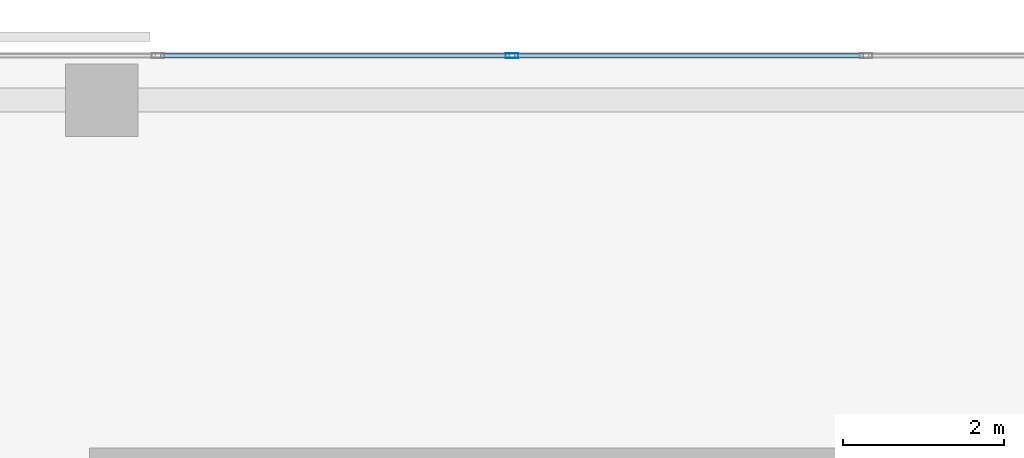
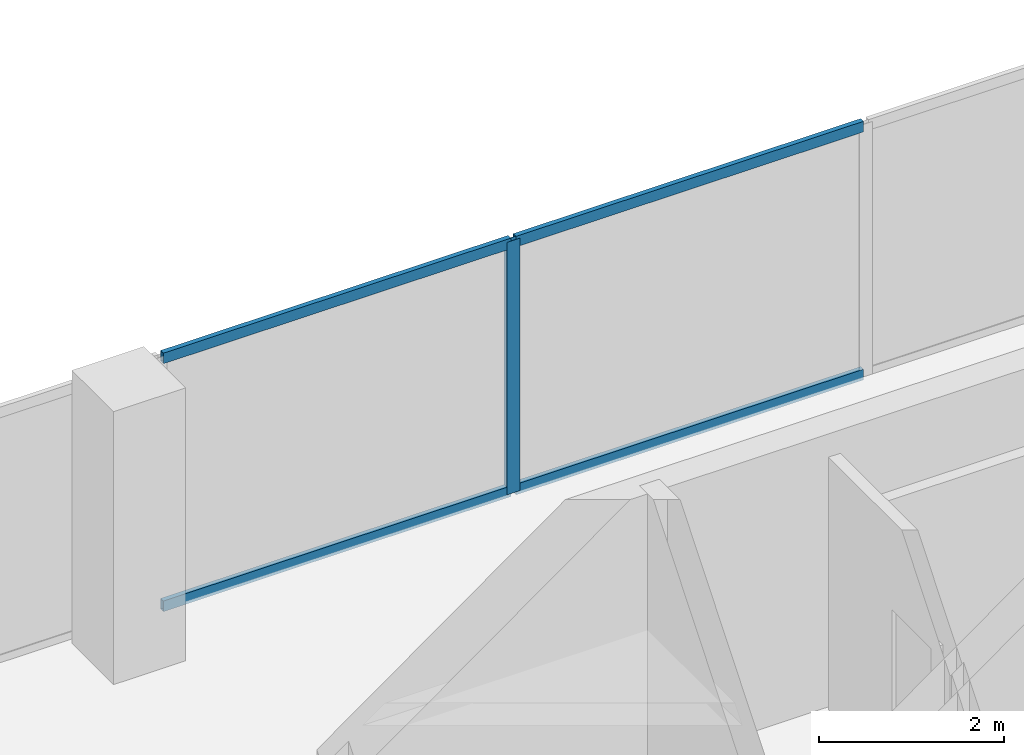
# One storey, part 20 of 34: 5 members, 1 element without a shape of its own.
"""IFC4 building model written with IfcOpenShell, lengths in metres."""

from ifc_helpers import new_model, si_unit, direction, frame, origin, origin_2d, place, context, subcontext, project, spatial, hollow_rectangle, extrude, material, layer, layer_set, material_profile, profile_set, type_object, element, aggregate, save


model = new_model("IFC4")

# Units and contexts
model_context = context("Model", 3, precision=1e-05, world=origin(), true_north=direction((0.0, 1.0)))
body_context = subcontext(model_context, "Body", "Model", "MODEL_VIEW")
ifc_project = project(units=[si_unit("LENGTHUNIT", "METRE"), si_unit("AREAUNIT", "SQUARE_METRE"), si_unit("VOLUMEUNIT", "CUBIC_METRE"), si_unit("PLANEANGLEUNIT", "RADIAN"), si_unit("MASSUNIT", "GRAM", prefix="KILO")], contexts=[model_context])

# Site, building, storey
site_placement = place(None, origin())
site = spatial("IfcSite", under=ifc_project, at=site_placement, CompositionType="ELEMENT")
building_placement = place(site_placement, origin())
building = spatial("IfcBuilding", under=site, at=building_placement, Name="Catumbela Crestline Tower", CompositionType="ELEMENT")
storey_placement = place(building_placement, frame((0.0, 0.0, 93.6)))
storey = spatial("IfcBuildingStorey", under=building, at=storey_placement, Name="L23", CompositionType="ELEMENT", Elevation=93.6)

# Curtain wall, members
ifc_material = material(Name="Aluminium alloy AW-6060-T66", Category="aluminium")
ifc_layer = layer(ifc_material, 0.18, Name="Aluminium alloy AW-6060-T66")
ifc_layer_set = layer_set([ifc_layer], Name="Aluminium alloy AW-6060-T66")
curtain_wall_type = type_object("IfcCurtainWallType", Name="CWU-Z2", PredefinedType="USERDEFINED", material=ifc_layer_set)
curtain_wall_placement = place(storey_placement, origin())
curtain_wall = element("IfcCurtainWall", 1, at=curtain_wall_placement, inside=storey, type_object=curtain_wall_type, Name="L23 Unitised Curtain Wall CW-L23-E7S1", ObjectType="UNITISED", PredefinedType="USERDEFINED")
ifc_material_profile_1 = material_profile(ifc_material, hollow_rectangle(XDim=0.06, YDim=0.16, WallThickness=0.004, at=origin_2d()), Name="ALU 160x60x4")
ifc_profile_set_1 = profile_set([ifc_material_profile_1], Name="Aluminium alloy AW-6060-T66")
member_type_1 = type_object("IfcMemberType", Name="MUL-160X60", PredefinedType="MULLION", material=ifc_profile_set_1)
member_1_placement = place(storey_placement, frame((21.1, 47.95, 0.0), z_axis=(0.0, 0.0, 1.0), x_axis=(0.0, -1.0, 0.0)))
member_1 = element("IfcMember", 2, at=member_1_placement, type_object=member_type_1, Name="CWU-Z2 mullion 7", PredefinedType="MULLION", context=body_context, shape_type="SweptSolid", body=[
    extrude(hollow_rectangle(XDim=0.06, YDim=0.16, WallThickness=0.004, at=origin_2d()), origin(), (0.0, 0.0, 1.0), 3.33),
])
ifc_material_profile_2 = material_profile(ifc_material, hollow_rectangle(XDim=0.06, YDim=0.14, WallThickness=0.004, at=origin_2d()), Name="ALU 140x60x4")
ifc_profile_set_2 = profile_set([ifc_material_profile_2], Name="Aluminium alloy AW-6060-T66")
member_type_2 = type_object("IfcMemberType", Name="TRN-140X60", PredefinedType="USERDEFINED", material=ifc_profile_set_2)
member_2_placement = place(storey_placement, frame((25.4675, 47.95, 0.03), z_axis=(-1.0, 0.0, 0.0), x_axis=(0.0, -1.0, 0.0)))
member_2 = element("IfcMember", 3, at=member_2_placement, type_object=member_type_2, Name="CWU-Z2 transom 6.1", ObjectType="TRANSOM", PredefinedType="USERDEFINED", context=body_context, shape_type="SweptSolid", body=[
    extrude(hollow_rectangle(XDim=0.06, YDim=0.14, WallThickness=0.004, at=origin_2d()), origin(), (0.0, 0.0, 1.0), 4.335),
])
member_3_placement = place(storey_placement, frame((25.4675, 47.95, 3.3), z_axis=(-1.0, 0.0, 0.0), x_axis=(0.0, -1.0, 0.0)))
member_3 = element("IfcMember", 4, at=member_3_placement, type_object=member_type_2, Name="CWU-Z2 transom 6.2", ObjectType="TRANSOM", PredefinedType="USERDEFINED", context=body_context, shape_type="SweptSolid", body=[
    extrude(hollow_rectangle(XDim=0.06, YDim=0.14, WallThickness=0.004, at=origin_2d()), origin(), (0.0, 0.0, 1.0), 4.335),
])
member_4_placement = place(storey_placement, frame((21.0675, 47.95, 0.03), z_axis=(-1.0, 0.0, 0.0), x_axis=(0.0, -1.0, 0.0)))
member_4 = element("IfcMember", 5, at=member_4_placement, type_object=member_type_2, Name="CWU-Z2 transom 7.1", ObjectType="TRANSOM", PredefinedType="USERDEFINED", context=body_context, shape_type="SweptSolid", body=[
    extrude(hollow_rectangle(XDim=0.06, YDim=0.14, WallThickness=0.004, at=origin_2d()), origin(), (0.0, 0.0, 1.0), 4.335),
])
member_5_placement = place(storey_placement, frame((21.0675, 47.95, 3.3), z_axis=(-1.0, 0.0, 0.0), x_axis=(0.0, -1.0, 0.0)))
member_5 = element("IfcMember", 6, at=member_5_placement, type_object=member_type_2, Name="CWU-Z2 transom 7.2", ObjectType="TRANSOM", PredefinedType="USERDEFINED", context=body_context, shape_type="SweptSolid", body=[
    extrude(hollow_rectangle(XDim=0.06, YDim=0.14, WallThickness=0.004, at=origin_2d()), origin(), (0.0, 0.0, 1.0), 4.335),
])
aggregate(curtain_wall, [member_1, member_2, member_3, member_4, member_5])

save(model, "model.ifc")
